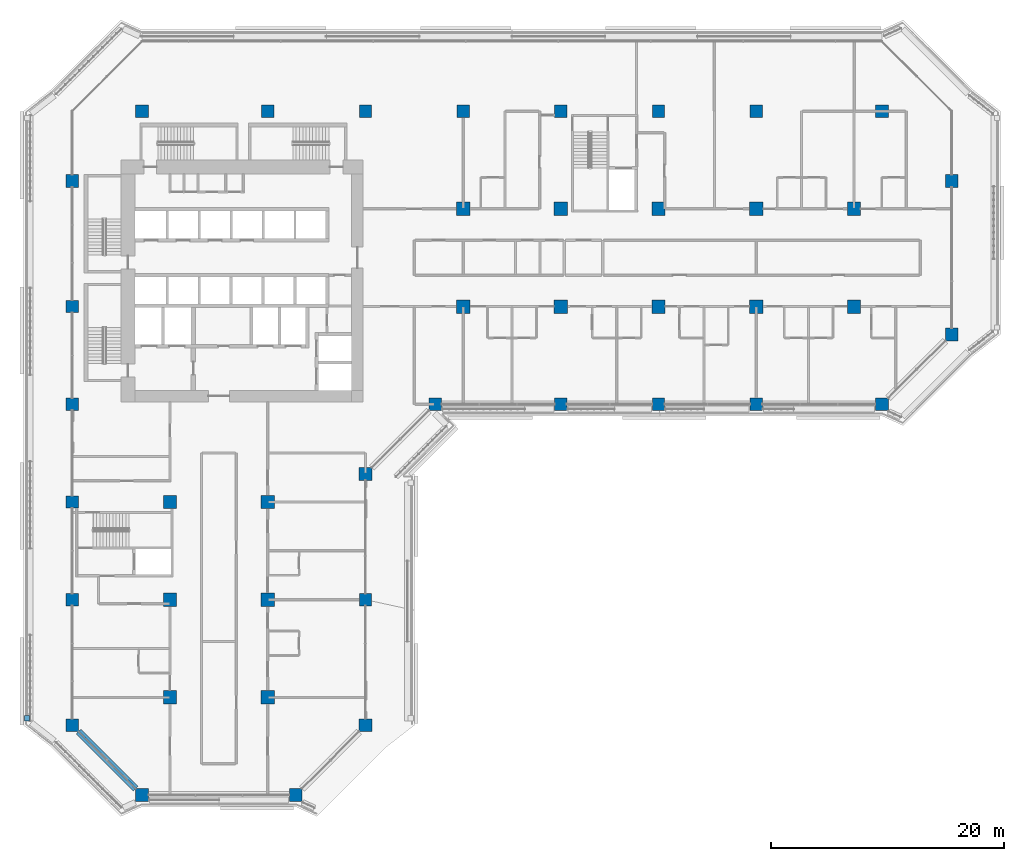
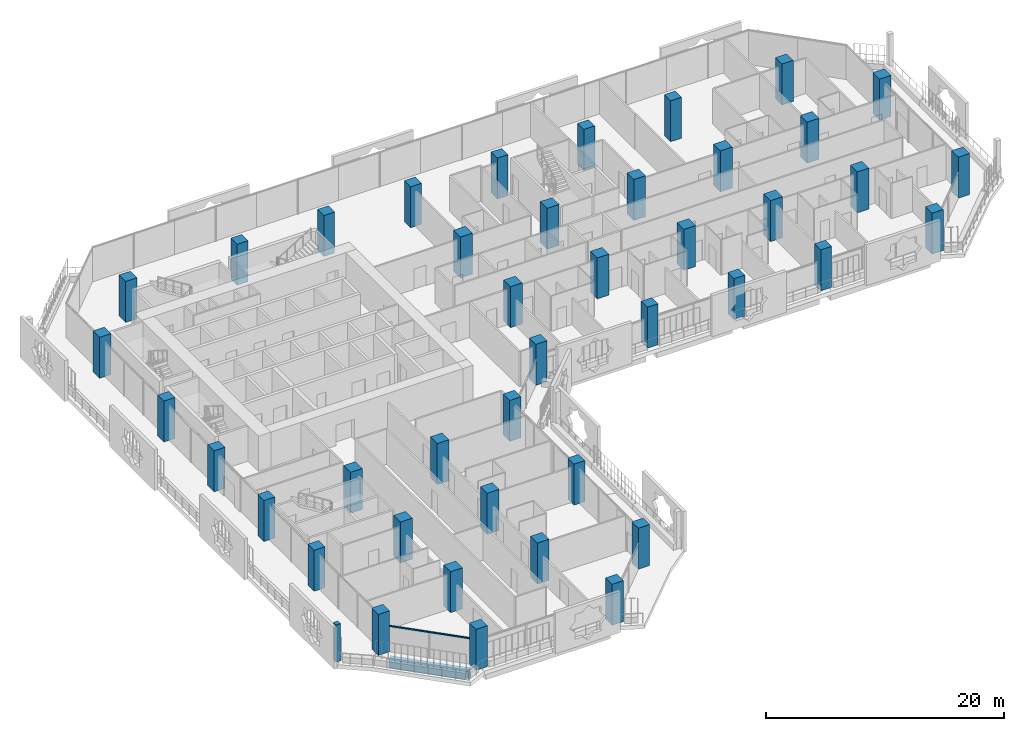
# One storey, part 1 of 25: 42 columns, 2 members, 1 beam, 2 elements without a shape of their own.
"""IFC4 building model written with IfcOpenShell, lengths in metres."""

from ifc_helpers import new_model, si_unit, direction, frame, origin, origin_2d, place, context, subcontext, project, spatial, rectangle, extrude, material, layer, layer_set, material_profile, profile_set, type_object, element, aggregate, save


model = new_model("IFC4")

# Units and contexts
model_context = context("Model", 3, precision=1e-05, world=origin(), true_north=direction((0.0, 1.0)))
body_context = subcontext(model_context, "Body", "Model", "MODEL_VIEW")
ifc_project = project(units=[si_unit("LENGTHUNIT", "METRE"), si_unit("AREAUNIT", "SQUARE_METRE"), si_unit("VOLUMEUNIT", "CUBIC_METRE"), si_unit("PLANEANGLEUNIT", "RADIAN"), si_unit("MASSUNIT", "GRAM", prefix="KILO")], contexts=[model_context])

# Site, building, storey
site_placement = place(None, origin())
site = spatial("IfcSite", under=ifc_project, at=site_placement, CompositionType="ELEMENT")
building_placement = place(site_placement, origin())
building = spatial("IfcBuilding", under=site, at=building_placement, Name="Kawkab Arch Medical Tower", CompositionType="ELEMENT")
storey_placement = place(building_placement, frame((0.0, 0.0, 140.800048828125)))
storey = spatial("IfcBuildingStorey", under=building, at=storey_placement, Name="L32", CompositionType="ELEMENT", Elevation=140.800048828125)

# Columns
ifc_material_1 = material(Name="Concrete C55/67", Category="concrete")
ifc_material_profile_1 = material_profile(ifc_material_1, rectangle(XDim=1.050048828125, YDim=1.050048828125, at=origin_2d()), Name="RC 1050x1050")
ifc_profile_set_1 = profile_set([ifc_material_profile_1], Name="Concrete C55/67")
column_type_1 = type_object("IfcColumnType", Name="RC 1050x1050 column C55/67", PredefinedType="COLUMN", material=ifc_profile_set_1)
for number, where, z_axis, x_axis, name in (
    (1, (16.800048828125, 0.0, 0.0), (0.0, 0.0, 1.0), (1.0, 0.0, 0.0), "Column RC 1050x1050"),
    (2, (25.199951171875, 0.0, 0.0), (0.0, 0.0, 1.0), (1.0, 0.0, 0.0), "Column RC 1050x1050"),
    (3, (33.60009765625, 0.0, 0.0), (0.0, 0.0, 1.0), (1.0, 0.0, 0.0), "Column RC 1050x1050"),
    (4, (42.0, 0.0, 0.0), (0.0, 0.0, 1.0), (1.0, 0.0, 0.0), "Column RC 1050x1050"),
    (5, (50.39990234375, 0.0, 0.0), (0.0, 0.0, 1.0), (1.0, 0.0, 0.0), "Column RC 1050x1050"),
    (6, (58.800048828125, 0.0, 0.0), (0.0, 0.0, 1.0), (1.0, 0.0, 0.0), "Column RC 1050x1050"),
    (7, (0.0, -16.800048828125, 0.0), (0.0, 0.0, 1.0), (1.0, 0.0, 0.0), "Column RC 1050x1050"),
    (8, (0.0, -25.199951171875, 0.0), (0.0, 0.0, 1.0), (1.0, 0.0, 0.0), "Column RC 1050x1050"),
    (9, (42.0, -25.199951171875, 0.0), (0.0, 0.0, 1.0), (1.0, 0.0, 0.0), "Column RC 1050x1050"),
    (10, (50.39990234375, -25.199951171875, 0.0), (0.0, 0.0, 1.0), (1.0, 0.0, 0.0), "Column RC 1050x1050"),
    (11, (58.800048828125, -25.199951171875, 0.0), (0.0, 0.0, 1.0), (1.0, 0.0, 0.0), "Column RC 1050x1050"),
    (12, (0.0, -33.60009765625, 0.0), (0.0, 0.0, 1.0), (1.0, 0.0, 0.0), "Column RC 1050x1050"),
    (13, (0.0, -42.0, 0.0), (0.0, 0.0, 1.0), (1.0, 0.0, 0.0), "Column RC 1050x1050"),
    (14, (25.199951171875, -42.0, 0.0), (0.0, 0.0, 1.0), (1.0, 0.0, 0.0), "Column RC 1050x1050"),
):
    element("IfcColumn", number, at=place(storey_placement, frame(where, z_axis=z_axis, x_axis=x_axis)), inside=storey, type_object=column_type_1, Name=name, PredefinedType="COLUMN", context=body_context, shape_type="SweptSolid", body=[
        extrude(rectangle(XDim=1.050048828125, YDim=1.050048828125, at=origin_2d()), origin(), (0.0, 0.0, 1.0), 4.199951171875),
    ])
ifc_material_2 = material(Name="Concrete C55/67", Category="concrete")
ifc_material_profile_2 = material_profile(ifc_material_2, rectangle(XDim=1.10009765625, YDim=1.10009765625, at=origin_2d()), Name="RC 1100x1100")
ifc_profile_set_2 = profile_set([ifc_material_profile_2], Name="Concrete C55/67")
column_type_2 = type_object("IfcColumnType", Name="RC 1100x1100 column C55/67", PredefinedType="COLUMN", material=ifc_profile_set_2)
for number, where, z_axis, x_axis, name in (
    (15, (6.0, 0.0, 0.0), (0.0, 0.0, 1.0), (1.0, 0.0, 0.0), "Column RC 1100x1100"),
    (16, (69.60009765625, 0.0, 0.0), (0.0, 0.0, 1.0), (1.0, 0.0, 0.0), "Column RC 1100x1100"),
    (17, (0.0, -6.0, 0.0), (0.0, 0.0, 1.0), (1.0, 0.0, 0.0), "Column RC 1100x1100"),
    (18, (75.60009765625, -6.0, 0.0), (0.0, 0.0, 1.0), (1.0, 0.0, 0.0), "Column RC 1100x1100"),
    (19, (75.60009765625, -19.199951171875, 0.0), (0.0, 0.0, 1.0), (1.0, 0.0, 0.0), "Column RC 1100x1100"),
    (20, (31.199951171875, -25.199951171875, 0.0), (0.0, 0.0, 1.0), (1.0, 0.0, 0.0), "Column RC 1100x1100"),
    (21, (69.60009765625, -25.199951171875, 0.0), (0.0, 0.0, 1.0), (1.0, 0.0, 0.0), "Column RC 1100x1100"),
    (22, (25.199951171875, -31.199951171875, 0.0), (0.0, 0.0, 1.0), (1.0, 0.0, 0.0), "Column RC 1100x1100"),
    (23, (0.0, -52.800048828125, 0.0), (0.0, 0.0, 1.0), (1.0, 0.0, 0.0), "Column RC 1100x1100"),
    (24, (25.199951171875, -52.800048828125, 0.0), (0.0, 0.0, 1.0), (1.0, 0.0, 0.0), "Column RC 1100x1100"),
    (25, (6.0, -58.800048828125, 0.0), (0.0, 0.0, 1.0), (1.0, 0.0, 0.0), "Column RC 1100x1100"),
    (26, (19.199951171875, -58.800048828125, 0.0), (0.0, 0.0, 1.0), (1.0, 0.0, 0.0), "Column RC 1100x1100"),
):
    element("IfcColumn", number, at=place(storey_placement, frame(where, z_axis=z_axis, x_axis=x_axis)), inside=storey, type_object=column_type_2, Name=name, PredefinedType="COLUMN", context=body_context, shape_type="SweptSolid", body=[
        extrude(rectangle(XDim=1.10009765625, YDim=1.10009765625, at=origin_2d()), origin(), (0.0, 0.0, 1.0), 4.199951171875),
    ])
ifc_material_3 = material(Name="Concrete C55/67", Category="concrete")
ifc_material_profile_3 = material_profile(ifc_material_3, rectangle(XDim=1.14990234375, YDim=1.14990234375, at=origin_2d()), Name="RC 1150x1150")
ifc_profile_set_3 = profile_set([ifc_material_profile_3], Name="Concrete C55/67")
column_type_3 = type_object("IfcColumnType", Name="RC 1150x1150 column C55/67", PredefinedType="COLUMN", material=ifc_profile_set_3)
for number, where, z_axis, x_axis, name in (
    (27, (33.60009765625, -8.39990234375, 0.0), (0.0, 0.0, 1.0), (1.0, 0.0, 0.0), "Column RC 1150x1150"),
    (28, (42.0, -8.39990234375, 0.0), (0.0, 0.0, 1.0), (1.0, 0.0, 0.0), "Column RC 1150x1150"),
    (29, (50.39990234375, -8.39990234375, 0.0), (0.0, 0.0, 1.0), (1.0, 0.0, 0.0), "Column RC 1150x1150"),
    (30, (58.800048828125, -8.39990234375, 0.0), (0.0, 0.0, 1.0), (1.0, 0.0, 0.0), "Column RC 1150x1150"),
    (31, (67.199951171875, -8.39990234375, 0.0), (0.0, 0.0, 1.0), (1.0, 0.0, 0.0), "Column RC 1150x1150"),
    (32, (33.60009765625, -16.800048828125, 0.0), (0.0, 0.0, 1.0), (1.0, 0.0, 0.0), "Column RC 1150x1150"),
    (33, (42.0, -16.800048828125, 0.0), (0.0, 0.0, 1.0), (1.0, 0.0, 0.0), "Column RC 1150x1150"),
    (34, (50.39990234375, -16.800048828125, 0.0), (0.0, 0.0, 1.0), (1.0, 0.0, 0.0), "Column RC 1150x1150"),
    (35, (58.800048828125, -16.800048828125, 0.0), (0.0, 0.0, 1.0), (1.0, 0.0, 0.0), "Column RC 1150x1150"),
    (36, (67.199951171875, -16.800048828125, 0.0), (0.0, 0.0, 1.0), (1.0, 0.0, 0.0), "Column RC 1150x1150"),
    (37, (8.39990234375, -33.60009765625, 0.0), (0.0, 0.0, 1.0), (1.0, 0.0, 0.0), "Column RC 1150x1150"),
    (38, (16.800048828125, -33.60009765625, 0.0), (0.0, 0.0, 1.0), (1.0, 0.0, 0.0), "Column RC 1150x1150"),
    (39, (8.39990234375, -42.0, 0.0), (0.0, 0.0, 1.0), (1.0, 0.0, 0.0), "Column RC 1150x1150"),
    (40, (16.800048828125, -42.0, 0.0), (0.0, 0.0, 1.0), (1.0, 0.0, 0.0), "Column RC 1150x1150"),
    (41, (8.39990234375, -50.39990234375, 0.0), (0.0, 0.0, 1.0), (1.0, 0.0, 0.0), "Column RC 1150x1150"),
    (42, (16.800048828125, -50.39990234375, 0.0), (0.0, 0.0, 1.0), (1.0, 0.0, 0.0), "Column RC 1150x1150"),
):
    element("IfcColumn", number, at=place(storey_placement, frame(where, z_axis=z_axis, x_axis=x_axis)), inside=storey, type_object=column_type_3, Name=name, PredefinedType="COLUMN", context=body_context, shape_type="SweptSolid", body=[
        extrude(rectangle(XDim=1.14990234375, YDim=1.14990234375, at=origin_2d()), origin(), (0.0, 0.0, 1.0), 4.199951171875),
    ])

# Curtain wall, member
ifc_material_4 = material(Name="Bronze anodised aluminium curtain wall frame", Category="aluminium")
ifc_layer_1 = layer(ifc_material_4, 0.159912109375)
ifc_layer_set_1 = layer_set([ifc_layer_1], Name="Bronze anodised aluminium curtain wall frame")
curtain_wall_type_1 = type_object("IfcCurtainWallType", Name="CW2 chamfer curtain wall", PredefinedType="NOTDEFINED", material=ifc_layer_set_1)
placement = place(storey_placement, origin())
curtain_wall_1 = element("IfcCurtainWall", 43, at=placement, inside=storey, type_object=curtain_wall_type_1, Name="CW2 Chamfer curtain wall R02", PredefinedType="NOTDEFINED")
ifc_material_5 = material(Name="Bronze anodised aluminium curtain wall frame", Category="aluminium")
ifc_material_profile_4 = material_profile(ifc_material_5, rectangle(XDim=0.06005859375, YDim=0.139892578125, at=origin_2d()), Name="AL 60x140")
ifc_profile_set_4 = profile_set([ifc_material_profile_4], Name="Bronze anodised aluminium curtain wall frame")
member_type_1 = type_object("IfcMemberType", Name="CW2 transom 140 x 60", PredefinedType="USERDEFINED", material=ifc_profile_set_4)
member_1_placement = place(storey_placement, frame((0.550048828125, -53.35009765625, 2.6298828125), z_axis=(0.707106781187, -0.707106781187, 0.0), x_axis=(0.707106781187, 0.707106781187, 0.0)))
member_1 = element("IfcMember", 44, at=member_1_placement, type_object=member_type_1, Name="CW2 transom 1", ObjectType="TRANSOM", PredefinedType="USERDEFINED", context=body_context, shape_type="SweptSolid", body=[
    extrude(rectangle(XDim=0.06005859375, YDim=0.139892578125, at=origin_2d()), origin(), (0.0, 0.0, 1.0), 6.929443359375),
])
aggregate(curtain_wall_1, [member_1])

ifc_material_6 = material(Name="Bronze anodised aluminium climber frame, planted", Category="aluminium")
ifc_layer_2 = layer(ifc_material_6, 0.449951171875)
ifc_layer_set_2 = layer_set([ifc_layer_2], Name="Bronze anodised aluminium climber frame, planted")
curtain_wall_type_2 = type_object("IfcCurtainWallType", Name="Planted climber frame", PredefinedType="NOTDEFINED", material=ifc_layer_set_2)
curtain_wall_2 = element("IfcCurtainWall", 45, at=placement, inside=storey, type_object=curtain_wall_type_2, Name="Planted climber frame L32", PredefinedType="NOTDEFINED")
ifc_material_7 = material(Name="Bronze anodised aluminium climber frame, planted", Category="aluminium")
ifc_material_profile_5 = material_profile(ifc_material_7, rectangle(XDim=0.449951171875, YDim=0.449951171875, at=origin_2d()), Name="Post 450x450")
ifc_profile_set_5 = profile_set([ifc_material_profile_5], Name="Bronze anodised aluminium climber frame, planted")
member_type_2 = type_object("IfcMemberType", Name="Planted climber post 450 x 450", PredefinedType="MULLION", material=ifc_profile_set_5)
member_2_placement = place(storey_placement, frame((-3.89990234375, -52.202880859375, 0.0), z_axis=(0.0, 0.0, 1.0), x_axis=(1.0, 0.0, 0.0)))
member_2 = element("IfcMember", 46, at=member_2_placement, type_object=member_type_2, Name="Planted climber post L32.LOG-01-01.1", PredefinedType="MULLION", context=body_context, shape_type="SweptSolid", body=[
    extrude(rectangle(XDim=0.449951171875, YDim=0.449951171875, at=origin_2d()), origin(), (0.0, 0.0, 1.0), 3.800048828125),
])
aggregate(curtain_wall_2, [member_2])

# Beam
ifc_material_8 = material(Name="Concrete C55/67", Category="concrete")
ifc_material_profile_6 = material_profile(ifc_material_8, rectangle(XDim=0.60009765625, YDim=0.89990234375, at=origin_2d()), Name="RC 600x900")
ifc_profile_set_6 = profile_set([ifc_material_profile_6], Name="Concrete C55/67")
beam_type = type_object("IfcBeamType", Name="RC 600x900 beam C55/67", PredefinedType="BEAM", material=ifc_profile_set_6)
beam_placement = place(storey_placement, frame((5.449951171875, -58.25, -1.050048828125), z_axis=(-0.707106781187, 0.707106781187, 0.0), x_axis=(-0.707106781187, -0.707106781187, 0.0)))
element("IfcBeam", 47, at=beam_placement, inside=storey, type_object=beam_type, Name="Overhang edge beam L32-09", PredefinedType="BEAM", context=body_context, shape_type="SweptSolid", body=[
    extrude(rectangle(XDim=0.60009765625, YDim=0.89990234375, at=origin_2d()), origin(), (0.0, 0.0, 1.0), 6.929443359375),
])

save(model, "model.ifc")
